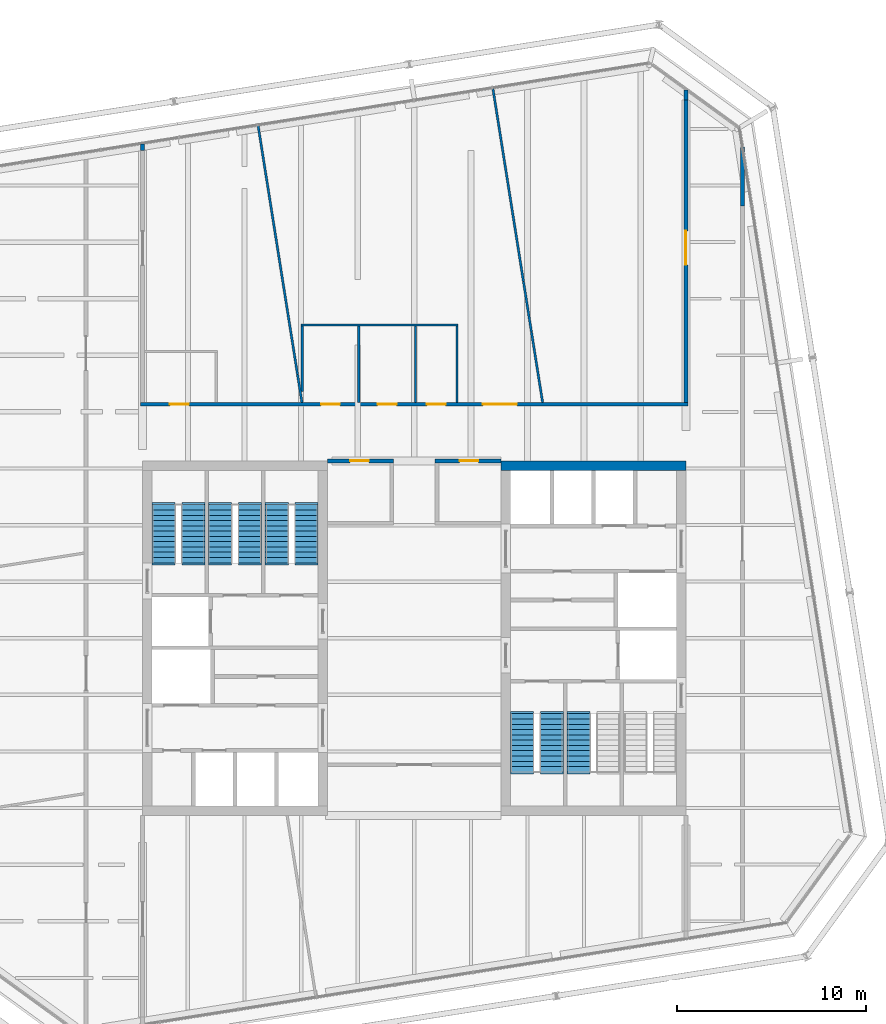
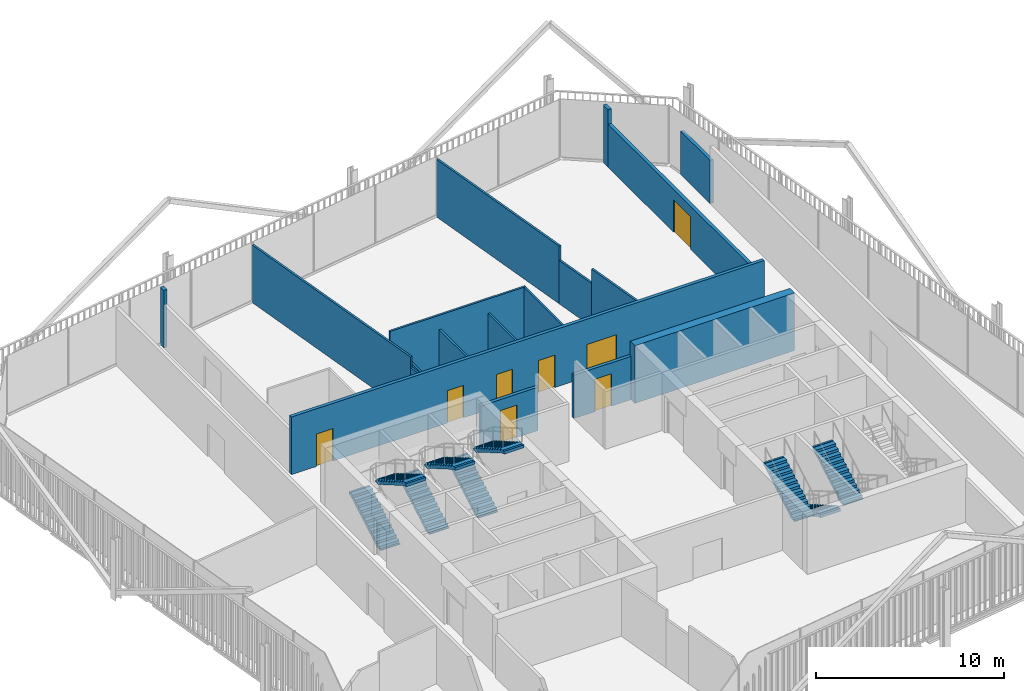
# One storey, part 18 of 20: 18 walls, 9 stair flights, 8 doors, 8 openings, 5 elements without a shape of their own.
"""IFC4 building model written with IfcOpenShell, lengths in metres."""

from ifc_helpers import new_model, si_unit, direction, frame, frame_2d, origin, place, context, subcontext, project, spatial, polyline, rectangle, outline, extrude, material, layer, layer_set, type_object, element, fill, aggregate, save


model = new_model("IFC4")

# Units and contexts
model_context = context("Model", 3, precision=1e-05, world=origin(), true_north=direction((0.0, 1.0)))
body_context = subcontext(model_context, "Body", "Model", "MODEL_VIEW")
ifc_project = project(units=[si_unit("LENGTHUNIT", "METRE"), si_unit("AREAUNIT", "SQUARE_METRE"), si_unit("VOLUMEUNIT", "CUBIC_METRE"), si_unit("PLANEANGLEUNIT", "RADIAN"), si_unit("MASSUNIT", "GRAM", prefix="KILO")], contexts=[model_context])

# Site, building, storey
site_placement = place(None, origin())
site = spatial("IfcSite", under=ifc_project, at=site_placement, CompositionType="ELEMENT")
building_placement = place(site_placement, origin())
building = spatial("IfcBuilding", under=site, at=building_placement, Name="Millrace Tower", CompositionType="ELEMENT")
storey_placement = place(building_placement, frame((0.0, 0.0, 204.699951171875)))
storey = spatial("IfcBuildingStorey", under=building, at=storey_placement, Name="L46", CompositionType="ELEMENT", Elevation=204.699951171875)

# Wall
ifc_material_1 = material(Name="Concrete C60", Category="concrete")
ifc_layer_1 = layer(ifc_material_1, 0.5)
ifc_layer_set_1 = layer_set([ifc_layer_1], Name="Concrete C60")
wall_type_1 = type_object("IfcWallType", Name="Core wall 500 Concrete C60", PredefinedType="SHEAR", material=ifc_layer_set_1)
wall_1_placement = place(storey_placement, frame((14.39990234375, 9.14990234375, 0.0), z_axis=(0.0, 0.0, 1.0), x_axis=(-1.0, 0.0, 0.0)))
element("IfcWall", 1, at=wall_1_placement, inside=storey, type_object=wall_type_1, Name="Core wall E L46", PredefinedType="SHEAR", context=body_context, shape_type="SweptSolid", body=[
    extrude(rectangle(XDim=9.7998046875, YDim=0.5, at=frame_2d((4.89990234375, 0.0))), origin(), (0.0, 0.0, 1.0), 3.739990234375),
])

# Wall, opening, door
ifc_material_2 = material(Name="Masonry partition, fire-rated", Category="masonry")
ifc_layer_2 = layer(ifc_material_2, 0.199951171875)
ifc_layer_set_2 = layer_set([ifc_layer_2], Name="Masonry partition, fire-rated")
wall_type_2 = type_object("IfcWallType", Name="Corridor wall 200", PredefinedType="PARTITIONING", material=ifc_layer_set_2)
wall_2_placement = place(storey_placement, frame((-4.60009765625, 9.39990234375, 0.0), z_axis=(0.0, 0.0, 1.0), x_axis=(1.0, 0.0, 0.0)))
wall_2 = element("IfcWall", 2, at=wall_2_placement, inside=storey, type_object=wall_type_2, Name="Corridor wall L46", PredefinedType="PARTITIONING", context=body_context, shape_type="SweptSolid", body=[
    extrude(rectangle(XDim=3.5, YDim=0.199951171875, at=frame_2d((1.75, 0.0))), origin(), (0.0, 0.0, 1.0), 2.81298828125),
])
opening_1_placement = place(wall_2_placement, frame((1.199951171875, 0.0, 0.0)))
opening_1 = element("IfcOpeningElement", 3, at=opening_1_placement, cuts=wall_2, Name="Opening 46-P001", PredefinedType="OPENING", context=body_context, shape_type="SweptSolid", body=[
    extrude(rectangle(XDim=1.0, YDim=2.10009765625, at=frame_2d((0.5, 1.050048828125))), frame((0.0, 0.10986328125, 0.0), z_axis=(0.0, -1.0, 0.0), x_axis=(1.0, 0.0, 0.0)), (0.0, 0.0, 1.0), 0.219970703125),
])
ifc_material_3 = material(Name="Steel door set, fire-rated", Category="steel")
door_type_1 = type_object("IfcDoorType", Name="Corridor door 1000 x 2100", OperationType="SINGLE_SWING_LEFT", PredefinedType="DOOR", material=ifc_material_3)
door_1_placement = place(opening_1_placement, frame((1.0, 0.0, 0.0), z_axis=(0.0, 0.0, 1.0), x_axis=(-1.0, 0.0, 0.0)))
door_1 = element("IfcDoor", 4, at=door_1_placement, inside=storey, type_object=door_type_1, Name="Door 46-P001", OperationType="SINGLE_SWING_LEFT", OverallHeight=2.10009765625, OverallWidth=1.0, PredefinedType="DOOR", context=body_context, shape_type="SweptSolid", body=[
    extrude(rectangle(XDim=1.0, YDim=2.10009765625, at=frame_2d((0.5, 1.050048828125))), frame((0.0, 0.02490234375, 0.0), z_axis=(0.0, -1.0, 0.0), x_axis=(1.0, 0.0, 0.0)), (0.0, 0.0, 1.0), 0.050048828125),
])
fill(opening_1, door_1)

wall_3_placement = place(storey_placement, frame((1.10009765625, 9.39990234375, 0.0), z_axis=(0.0, 0.0, 1.0), x_axis=(1.0, 0.0, 0.0)))
wall_3 = element("IfcWall", 5, at=wall_3_placement, inside=storey, type_object=wall_type_2, Name="Corridor wall L46", PredefinedType="PARTITIONING", context=body_context, shape_type="SweptSolid", body=[
    extrude(rectangle(XDim=3.5, YDim=0.199951171875, at=frame_2d((1.75, 0.0))), origin(), (0.0, 0.0, 1.0), 2.81298828125),
])
opening_2_placement = place(wall_3_placement, frame((1.300048828125, 0.0, 0.0)))
opening_2 = element("IfcOpeningElement", 6, at=opening_2_placement, cuts=wall_3, Name="Opening 46-P002", PredefinedType="OPENING", context=body_context, shape_type="SweptSolid", body=[
    extrude(rectangle(XDim=1.0, YDim=2.10009765625, at=frame_2d((0.5, 1.050048828125))), frame((0.0, 0.10986328125, 0.0), z_axis=(0.0, -1.0, 0.0), x_axis=(1.0, 0.0, 0.0)), (0.0, 0.0, 1.0), 0.219970703125),
])
door_2_placement = place(opening_2_placement, frame((1.0, 0.0, 0.0), z_axis=(0.0, 0.0, 1.0), x_axis=(-1.0, 0.0, 0.0)))
door_2 = element("IfcDoor", 7, at=door_2_placement, inside=storey, type_object=door_type_1, Name="Door 46-P002", OperationType="SINGLE_SWING_LEFT", OverallHeight=2.10009765625, OverallWidth=1.0, PredefinedType="DOOR", context=body_context, shape_type="SweptSolid", body=[
    extrude(rectangle(XDim=1.0, YDim=2.10009765625, at=frame_2d((0.5, 1.050048828125))), frame((0.0, 0.02490234375, 0.0), z_axis=(0.0, -1.0, 0.0), x_axis=(1.0, 0.0, 0.0)), (0.0, 0.0, 1.0), 0.050048828125),
])
fill(opening_2, door_2)

# Wall, openings, doors
wall_4_placement = place(storey_placement, frame((-14.5, 12.39990234375, 0.0), z_axis=(0.0, 0.0, 1.0), x_axis=(1.0, 0.0, 0.0)))
wall_4 = element("IfcWall", 8, at=wall_4_placement, inside=storey, type_object=wall_type_2, Name="Corridor wall L46", PredefinedType="PARTITIONING", context=body_context, shape_type="SweptSolid", body=[
    extrude(rectangle(XDim=29.0, YDim=0.199951171875, at=frame_2d((14.5, 0.0))), origin(), (0.0, 0.0, 1.0), 3.739990234375),
])
opening_3_placement = place(wall_4_placement, frame((1.550048828125, 0.0, 0.0)))
opening_3 = element("IfcOpeningElement", 9, at=opening_3_placement, cuts=wall_4, Name="Opening 46-P007", PredefinedType="OPENING", context=body_context, shape_type="SweptSolid", body=[
    extrude(rectangle(XDim=1.0, YDim=2.10009765625, at=frame_2d((0.5, 1.050048828125))), frame((0.0, 0.10986328125, 0.0), z_axis=(0.0, -1.0, 0.0), x_axis=(1.0, 0.0, 0.0)), (0.0, 0.0, 1.0), 0.219970703125),
])
opening_4_placement = place(wall_4_placement, frame((18.140380859375, 0.0, 0.0)))
opening_4 = element("IfcOpeningElement", 10, at=opening_4_placement, cuts=wall_4, Name="Opening 46-P008", PredefinedType="OPENING", context=body_context, shape_type="SweptSolid", body=[
    extrude(rectangle(XDim=1.800048828125, YDim=2.10009765625, at=frame_2d((0.89990234375, 1.050048828125))), frame((0.0, 0.10986328125, 0.0), z_axis=(0.0, -1.0, 0.0), x_axis=(1.0, 0.0, 0.0)), (0.0, 0.0, 1.0), 0.219970703125),
])
opening_5_placement = place(wall_4_placement, frame((9.56201171875, 0.0, 0.0)))
opening_5 = element("IfcOpeningElement", 11, at=opening_5_placement, cuts=wall_4, Name="Opening 46-P009", PredefinedType="OPENING", context=body_context, shape_type="SweptSolid", body=[
    extrude(rectangle(XDim=1.0, YDim=2.10009765625, at=frame_2d((0.5, 1.050048828125))), frame((0.0, 0.10986328125, 0.0), z_axis=(0.0, -1.0, 0.0), x_axis=(1.0, 0.0, 0.0)), (0.0, 0.0, 1.0), 0.219970703125),
])
opening_6_placement = place(wall_4_placement, frame((12.56201171875, 0.0, 0.0)))
opening_6 = element("IfcOpeningElement", 12, at=opening_6_placement, cuts=wall_4, Name="Opening 46-P010", PredefinedType="OPENING", context=body_context, shape_type="SweptSolid", body=[
    extrude(rectangle(XDim=1.0, YDim=2.10009765625, at=frame_2d((0.5, 1.050048828125))), frame((0.0, 0.10986328125, 0.0), z_axis=(0.0, -1.0, 0.0), x_axis=(1.0, 0.0, 0.0)), (0.0, 0.0, 1.0), 0.219970703125),
])
opening_7_placement = place(wall_4_placement, frame((15.162109375, 0.0, 0.0)))
opening_7 = element("IfcOpeningElement", 13, at=opening_7_placement, cuts=wall_4, Name="Opening 46-P011", PredefinedType="OPENING", context=body_context, shape_type="SweptSolid", body=[
    extrude(rectangle(XDim=1.0, YDim=2.10009765625, at=frame_2d((0.5, 1.050048828125))), frame((0.0, 0.10986328125, 0.0), z_axis=(0.0, -1.0, 0.0), x_axis=(1.0, 0.0, 0.0)), (0.0, 0.0, 1.0), 0.219970703125),
])
door_3_placement = place(opening_3_placement, origin())
door_3 = element("IfcDoor", 14, at=door_3_placement, inside=storey, type_object=door_type_1, Name="Door 46-P007", OperationType="SINGLE_SWING_LEFT", OverallHeight=2.10009765625, OverallWidth=1.0, PredefinedType="DOOR", context=body_context, shape_type="SweptSolid", body=[
    extrude(rectangle(XDim=1.0, YDim=2.10009765625, at=frame_2d((0.5, 1.050048828125))), frame((0.0, 0.02490234375, 0.0), z_axis=(0.0, -1.0, 0.0), x_axis=(1.0, 0.0, 0.0)), (0.0, 0.0, 1.0), 0.050048828125),
])
fill(opening_3, door_3)
door_4_placement = place(opening_5_placement, origin())
door_4 = element("IfcDoor", 15, at=door_4_placement, inside=storey, type_object=door_type_1, Name="Door 46-P009", OperationType="SINGLE_SWING_LEFT", OverallHeight=2.10009765625, OverallWidth=1.0, PredefinedType="DOOR", context=body_context, shape_type="SweptSolid", body=[
    extrude(rectangle(XDim=1.0, YDim=2.10009765625, at=frame_2d((0.5, 1.050048828125))), frame((0.0, 0.02490234375, 0.0), z_axis=(0.0, -1.0, 0.0), x_axis=(1.0, 0.0, 0.0)), (0.0, 0.0, 1.0), 0.050048828125),
])
fill(opening_5, door_4)
door_5_placement = place(opening_6_placement, origin())
door_5 = element("IfcDoor", 16, at=door_5_placement, inside=storey, type_object=door_type_1, Name="Door 46-P010", OperationType="SINGLE_SWING_LEFT", OverallHeight=2.10009765625, OverallWidth=1.0, PredefinedType="DOOR", context=body_context, shape_type="SweptSolid", body=[
    extrude(rectangle(XDim=1.0, YDim=2.10009765625, at=frame_2d((0.5, 1.050048828125))), frame((0.0, 0.02490234375, 0.0), z_axis=(0.0, -1.0, 0.0), x_axis=(1.0, 0.0, 0.0)), (0.0, 0.0, 1.0), 0.050048828125),
])
fill(opening_6, door_5)
door_6_placement = place(opening_7_placement, origin())
door_6 = element("IfcDoor", 17, at=door_6_placement, inside=storey, type_object=door_type_1, Name="Door 46-P011", OperationType="SINGLE_SWING_RIGHT", OverallHeight=2.10009765625, OverallWidth=1.0, PredefinedType="DOOR", context=body_context, shape_type="SweptSolid", body=[
    extrude(rectangle(XDim=1.0, YDim=2.10009765625, at=frame_2d((0.5, 1.050048828125))), frame((0.0, 0.02490234375, 0.0), z_axis=(0.0, -1.0, 0.0), x_axis=(1.0, 0.0, 0.0)), (0.0, 0.0, 1.0), 0.050048828125),
])
fill(opening_7, door_6)
ifc_material_4 = material(Name="Steel door set, fire-rated", Category="steel")
door_type_2 = type_object("IfcDoorType", Name="Corridor door 1800 x 2100", OperationType="DOUBLE_DOOR_SINGLE_SWING", PredefinedType="DOOR", material=ifc_material_4)
door_7_placement = place(opening_4_placement, frame((1.800048828125, 0.0, 0.0), z_axis=(0.0, 0.0, 1.0), x_axis=(-1.0, 0.0, 0.0)))
door_7 = element("IfcDoor", 18, at=door_7_placement, inside=storey, type_object=door_type_2, Name="Door 46-P008", OperationType="DOUBLE_DOOR_SINGLE_SWING", OverallHeight=2.10009765625, OverallWidth=1.800048828125, PredefinedType="DOOR", context=body_context, shape_type="SweptSolid", body=[
    extrude(rectangle(XDim=1.800048828125, YDim=2.10009765625, at=frame_2d((0.89990234375, 1.050048828125))), frame((0.0, 0.02490234375, 0.0), z_axis=(0.0, -1.0, 0.0), x_axis=(1.0, 0.0, 0.0)), (0.0, 0.0, 1.0), 0.050048828125),
])
fill(opening_4, door_7)

# Wall
wall_5_placement = place(storey_placement, frame((17.39990234375, 22.9052734375, 0.0), z_axis=(0.0, 0.0, 1.0), x_axis=(0.0, 1.0, 0.0)))
element("IfcWall", 19, at=wall_5_placement, inside=storey, type_object=wall_type_2, Name="Corridor wall L46", PredefinedType="PARTITIONING", context=body_context, shape_type="SweptSolid", body=[
    extrude(rectangle(XDim=3.137451171875, YDim=0.199951171875, at=frame_2d((1.56884765625, 0.0))), origin(), (0.0, 0.0, 1.0), 2.81298828125),
])

# Wall, opening, door
wall_6_placement = place(storey_placement, frame((14.39990234375, 12.5, 0.0), z_axis=(0.0, 0.0, 1.0), x_axis=(0.0, 1.0, 0.0)))
wall_6 = element("IfcWall", 20, at=wall_6_placement, inside=storey, type_object=wall_type_2, Name="Corridor wall L46", PredefinedType="PARTITIONING", context=body_context, shape_type="SweptSolid", body=[
    extrude(rectangle(XDim=16.040771484375, YDim=0.199951171875, at=frame_2d((8.0205078125, 0.0))), origin(), (0.0, 0.0, 1.0), 2.792724609375),
])
opening_8_placement = place(wall_6_placement, frame((7.298095703125, 0.0, 0.0)))
opening_8 = element("IfcOpeningElement", 21, at=opening_8_placement, cuts=wall_6, Name="Opening 46-P012", PredefinedType="OPENING", context=body_context, shape_type="SweptSolid", body=[
    extrude(rectangle(XDim=1.800048828125, YDim=2.10009765625, at=frame_2d((0.89990234375, 1.050048828125))), frame((0.0, 0.10986328125, 0.0), z_axis=(0.0, -1.0, 0.0), x_axis=(1.0, 0.0, 0.0)), (0.0, 0.0, 1.0), 0.219970703125),
])
door_8_placement = place(opening_8_placement, frame((1.800048828125, 0.0, 0.0), z_axis=(0.0, 0.0, 1.0), x_axis=(-1.0, 0.0, 0.0)))
door_8 = element("IfcDoor", 22, at=door_8_placement, inside=storey, type_object=door_type_2, Name="Door 46-P012", OperationType="DOUBLE_DOOR_SINGLE_SWING", OverallHeight=2.10009765625, OverallWidth=1.800048828125, PredefinedType="DOOR", context=body_context, shape_type="SweptSolid", body=[
    extrude(rectangle(XDim=1.800048828125, YDim=2.10009765625, at=frame_2d((0.89990234375, 1.050048828125))), frame((0.0, 0.02490234375, 0.0), z_axis=(0.0, -1.0, 0.0), x_axis=(1.0, 0.0, 0.0)), (0.0, 0.0, 1.0), 0.050048828125),
])
fill(opening_8, door_8)

# Walls
wall_7_placement = place(storey_placement, frame((14.39990234375, 28.540771484375, 0.0), z_axis=(0.0, 0.0, 1.0), x_axis=(0.0, 1.0, 0.0)))
element("IfcWall", 23, at=wall_7_placement, inside=storey, type_object=wall_type_2, Name="Corridor wall L46", PredefinedType="PARTITIONING", context=body_context, shape_type="SweptSolid", body=[
    extrude(rectangle(XDim=0.51708984375, YDim=0.199951171875, at=frame_2d((0.258544921875, 0.0))), origin(), (0.0, 0.0, 1.0), 3.739990234375),
])
wall_8_placement = place(storey_placement, frame((-14.39990234375, 25.8486328125, 0.0), z_axis=(0.0, 0.0, 1.0), x_axis=(0.0, 1.0, 0.0)))
element("IfcWall", 24, at=wall_8_placement, inside=storey, type_object=wall_type_2, Name="Corridor wall L46", PredefinedType="PARTITIONING", context=body_context, shape_type="SweptSolid", body=[
    extrude(rectangle(XDim=0.349609375, YDim=0.199951171875, at=frame_2d((0.1748046875, 0.0))), origin(), (0.0, 0.0, 1.0), 3.739990234375),
])
ifc_material_5 = material(Name="Gypsum board partition")
ifc_layer_3 = layer(ifc_material_5, 0.1201171875)
ifc_layer_set_3 = layer_set([ifc_layer_3], Name="Gypsum board partition")
wall_type_3 = type_object("IfcWallType", Name="Partition wall 120", PredefinedType="PARTITIONING", material=ifc_layer_set_3)
wall_9_placement = place(storey_placement, frame((-8.27685546875, 27.16796875, 0.0), z_axis=(0.0, 0.0, 1.0), x_axis=(0.156426233908, -0.987689644243, 0.0)))
element("IfcWall", 25, at=wall_9_placement, inside=storey, type_object=wall_type_3, Name="Partition wall L46", PredefinedType="PARTITIONING", context=body_context, shape_type="SweptSolid", body=[
    extrude(rectangle(XDim=13.356689453125, YDim=0.1201171875, at=frame_2d((6.67822265625, 0.0))), origin(), (0.0, 0.0, 1.0), 3.739990234375),
])
wall_10_placement = place(storey_placement, frame((-6.1875, 13.9755859375, 0.0), z_axis=(0.0, 0.0, 1.0), x_axis=(0.156423716504, -0.987690042936, 0.0)))
element("IfcWall", 26, at=wall_10_placement, inside=storey, type_object=wall_type_3, Name="Partition wall L46", PredefinedType="PARTITIONING", context=body_context, shape_type="SweptSolid", body=[
    extrude(rectangle(XDim=1.4951171875, YDim=0.1201171875, at=frame_2d((0.74755859375, 0.0))), origin(), (0.0, 0.0, 1.0), 3.046630859375),
])
wall_11_placement = place(storey_placement, frame((4.168212890625, 29.13916015625, 0.0), z_axis=(0.0, 0.0, 1.0), x_axis=(0.156414369749, -0.987691523167, 0.0)))
element("IfcWall", 27, at=wall_11_placement, inside=storey, type_object=wall_type_3, Name="Partition wall L46", PredefinedType="PARTITIONING", context=body_context, shape_type="SweptSolid", body=[
    extrude(rectangle(XDim=10.35009765625, YDim=0.1201171875, at=frame_2d((5.175048828125, 0.0))), origin(), (0.0, 0.0, 1.0), 3.739990234375),
])
wall_12_placement = place(storey_placement, frame((5.787109375, 18.91650390625, 0.0), z_axis=(0.0, 0.0, 1.0), x_axis=(0.156381577148, -0.987696715763, 0.0)))
element("IfcWall", 28, at=wall_12_placement, inside=storey, type_object=wall_type_3, Name="Partition wall L46", PredefinedType="PARTITIONING", context=body_context, shape_type="SweptSolid", body=[
    extrude(rectangle(XDim=2.72265625, YDim=0.1201171875, at=frame_2d((1.361328125, 0.0))), origin(), (0.0, 0.0, 1.0), 2.81298828125),
])
wall_13_placement = place(storey_placement, frame((6.212890625, 16.227294921875, 0.0), z_axis=(0.0, 0.0, 1.0), x_axis=(0.15644410697, -0.987686813415, 0.0)))
element("IfcWall", 29, at=wall_13_placement, inside=storey, type_object=wall_type_3, Name="Partition wall L46", PredefinedType="PARTITIONING", context=body_context, shape_type="SweptSolid", body=[
    extrude(rectangle(XDim=3.77490234375, YDim=0.1201171875, at=frame_2d((1.887451171875, 0.0))), origin(), (0.0, 0.0, 1.0), 3.739990234375),
])
wall_14_placement = place(storey_placement, frame((-5.998046875, 16.60009765625, 0.0), z_axis=(0.0, 0.0, 1.0), x_axis=(1.0, 0.0, 0.0)))
element("IfcWall", 30, at=wall_14_placement, inside=storey, type_object=wall_type_3, Name="Partition wall L46", PredefinedType="PARTITIONING", context=body_context, shape_type="SweptSolid", body=[
    extrude(rectangle(XDim=8.320068359375, YDim=0.1201171875, at=frame_2d((4.16015625, 0.0))), origin(), (0.0, 0.0, 1.0), 3.739990234375),
])
wall_15_placement = place(storey_placement, frame((2.261962890625, 12.5, 0.0), z_axis=(0.0, 0.0, 1.0), x_axis=(0.0, 1.0, 0.0)))
element("IfcWall", 31, at=wall_15_placement, inside=storey, type_object=wall_type_3, Name="Partition wall L46", PredefinedType="PARTITIONING", context=body_context, shape_type="SweptSolid", body=[
    extrude(rectangle(XDim=4.0400390625, YDim=0.1201171875, at=frame_2d((2.02001953125, 0.0))), origin(), (0.0, 0.0, 1.0), 3.739990234375),
])
for number, where, z_axis, x_axis, name in (
    (32, (0.06201171875, 12.5, 0.0), (0.0, 0.0, 1.0), (0.0, 1.0, 0.0), "Partition wall L46"),
    (33, (-2.93798828125, 12.5, 0.0), (0.0, 0.0, 1.0), (0.0, 1.0, 0.0), "Partition wall L46"),
):
    element("IfcWall", number, at=place(storey_placement, frame(where, z_axis=z_axis, x_axis=x_axis)), inside=storey, type_object=wall_type_3, Name=name, PredefinedType="PARTITIONING", context=body_context, shape_type="SweptSolid", body=[
        extrude(rectangle(XDim=4.0400390625, YDim=0.1201171875, at=frame_2d((2.02001953125, 0.0))), origin(), (0.0, 0.0, 1.0), 2.81298828125),
    ])
wall_16_placement = place(storey_placement, frame((-5.93798828125, 13.067626953125, 0.0), z_axis=(0.0, 0.0, 1.0), x_axis=(0.0, 1.0, 0.0)))
element("IfcWall", 34, at=wall_16_placement, inside=storey, type_object=wall_type_3, Name="Partition wall L46", PredefinedType="PARTITIONING", context=body_context, shape_type="SweptSolid", body=[
    extrude(rectangle(XDim=3.472412109375, YDim=0.1201171875, at=frame_2d((1.736328125, 0.0))), origin(), (0.0, 0.0, 1.0), 3.046630859375),
])

# Stair, stair flights
ifc_material_6 = material(Name="Concrete C35", Category="concrete")
stair_type = type_object("IfcStairType", Name="Exit stair", PredefinedType="HALF_TURN_STAIR", material=ifc_material_6)
placement = place(storey_placement, origin())
stair_1 = element("IfcStair", 35, at=placement, inside=storey, type_object=stair_type, Name="Stair 1 W L46", PredefinedType="HALF_TURN_STAIR")
ifc_material_7 = material(Name="Concrete C35", Category="concrete")
stair_flight_type = type_object("IfcStairFlightType", Name="Exit stair flight", PredefinedType="STRAIGHT", material=ifc_material_7)
stair_flight_1_placement = place(storey_placement, frame((-13.2900390625, 4.0, 0.0), z_axis=(0.0, 0.0, 1.0), x_axis=(0.0, 1.0, 0.0)))
stair_flight_1 = element("IfcStairFlight", 36, at=stair_flight_1_placement, type_object=stair_flight_type, Name="ST12 flight 1", NumberOfRisers=12, NumberOfTreads=11, PredefinedType="STRAIGHT", RiserHeight=0.1625, TreadLength=0.28, context=body_context, shape_type="SweptSolid", body=[
    extrude(outline(polyline([(-0.1201171875, -0.0400390625), (-0.1201171875, 0.0), (0.0, 0.0), (0.0, 0.16259765625), (0.280029296875, 0.16259765625), (0.280029296875, 0.324951171875), (0.56005859375, 0.324951171875), (0.56005859375, 0.487548828125), (0.840087890625, 0.487548828125), (0.840087890625, 0.64990234375), (1.1201171875, 0.64990234375), (1.1201171875, 0.8125), (1.39990234375, 0.8125), (1.39990234375, 0.97509765625), (1.679931640625, 0.97509765625), (1.679931640625, 1.137451171875), (1.9599609375, 1.137451171875), (1.9599609375, 1.300048828125), (2.239990234375, 1.300048828125), (2.239990234375, 1.46240234375), (2.52001953125, 1.46240234375), (2.52001953125, 1.625), (2.800048828125, 1.625), (2.800048828125, 1.78759765625), (3.080078125, 1.78759765625), (3.080078125, 1.8076171875), (3.199951171875, 1.8076171875), (3.199951171875, 1.6142578125), (3.080078125, 1.6142578125), (0.298583984375, 0.0), (0.298583984375, -0.0400390625), (-0.1201171875, -0.0400390625)])), frame((0.0, 0.60986328125, 0.0), z_axis=(0.0, -1.0, 0.0), x_axis=(1.0, 0.0, 0.0)), (0.0, 0.0, 1.0), 1.219970703125),
])
stair_flight_2_placement = place(storey_placement, frame((-11.7099609375, 7.080078125, 1.949951171875), z_axis=(0.0, 0.0, 1.0), x_axis=(0.0, -1.0, 0.0)))
stair_flight_2 = element("IfcStairFlight", 37, at=stair_flight_2_placement, type_object=stair_flight_type, Name="ST12 flight 2", NumberOfRisers=12, NumberOfTreads=11, PredefinedType="STRAIGHT", RiserHeight=0.1625, TreadLength=0.28, context=body_context, shape_type="SweptSolid", body=[
    extrude(outline(polyline([(-0.1201171875, -0.0400390625), (-0.1201171875, 0.0), (0.0, 0.0), (0.0, 0.16259765625), (0.280029296875, 0.16259765625), (0.280029296875, 0.324951171875), (0.56005859375, 0.324951171875), (0.56005859375, 0.487548828125), (0.840087890625, 0.487548828125), (0.840087890625, 0.64990234375), (1.1201171875, 0.64990234375), (1.1201171875, 0.8125), (1.39990234375, 0.8125), (1.39990234375, 0.97509765625), (1.679931640625, 0.97509765625), (1.679931640625, 1.137451171875), (1.9599609375, 1.137451171875), (1.9599609375, 1.300048828125), (2.239990234375, 1.300048828125), (2.239990234375, 1.46240234375), (2.52001953125, 1.46240234375), (2.52001953125, 1.625), (2.800048828125, 1.625), (2.800048828125, 1.78759765625), (3.080078125, 1.78759765625), (3.080078125, 1.8076171875), (3.199951171875, 1.8076171875), (3.199951171875, 1.6142578125), (3.080078125, 1.6142578125), (0.298583984375, 0.0), (0.298583984375, -0.0400390625), (-0.1201171875, -0.0400390625)])), frame((0.0, 0.60986328125, 0.0), z_axis=(0.0, -1.0, 0.0), x_axis=(1.0, 0.0, 0.0)), (0.0, 0.0, 1.0), 1.219970703125),
])
aggregate(stair_1, [stair_flight_1, stair_flight_2])

stair_2 = element("IfcStair", 38, at=placement, inside=storey, type_object=stair_type, Name="Stair 2 W L46", PredefinedType="HALF_TURN_STAIR")
stair_flight_3_placement = place(storey_placement, frame((-10.2900390625, 4.0, 0.0), z_axis=(0.0, 0.0, 1.0), x_axis=(0.0, 1.0, 0.0)))
stair_flight_3 = element("IfcStairFlight", 39, at=stair_flight_3_placement, type_object=stair_flight_type, Name="ST12 flight 1", NumberOfRisers=12, NumberOfTreads=11, PredefinedType="STRAIGHT", RiserHeight=0.1625, TreadLength=0.28, context=body_context, shape_type="SweptSolid", body=[
    extrude(outline(polyline([(-0.1201171875, -0.0400390625), (-0.1201171875, 0.0), (0.0, 0.0), (0.0, 0.16259765625), (0.280029296875, 0.16259765625), (0.280029296875, 0.324951171875), (0.56005859375, 0.324951171875), (0.56005859375, 0.487548828125), (0.840087890625, 0.487548828125), (0.840087890625, 0.64990234375), (1.1201171875, 0.64990234375), (1.1201171875, 0.8125), (1.39990234375, 0.8125), (1.39990234375, 0.97509765625), (1.679931640625, 0.97509765625), (1.679931640625, 1.137451171875), (1.9599609375, 1.137451171875), (1.9599609375, 1.300048828125), (2.239990234375, 1.300048828125), (2.239990234375, 1.46240234375), (2.52001953125, 1.46240234375), (2.52001953125, 1.625), (2.800048828125, 1.625), (2.800048828125, 1.78759765625), (3.080078125, 1.78759765625), (3.080078125, 1.8076171875), (3.199951171875, 1.8076171875), (3.199951171875, 1.6142578125), (3.080078125, 1.6142578125), (0.298583984375, 0.0), (0.298583984375, -0.0400390625), (-0.1201171875, -0.0400390625)])), frame((0.0, 0.60986328125, 0.0), z_axis=(0.0, -1.0, 0.0), x_axis=(1.0, 0.0, 0.0)), (0.0, 0.0, 1.0), 1.219970703125),
])
stair_flight_4_placement = place(storey_placement, frame((-8.7099609375, 7.080078125, 1.949951171875), z_axis=(0.0, 0.0, 1.0), x_axis=(0.0, -1.0, 0.0)))
stair_flight_4 = element("IfcStairFlight", 40, at=stair_flight_4_placement, type_object=stair_flight_type, Name="ST12 flight 2", NumberOfRisers=12, NumberOfTreads=11, PredefinedType="STRAIGHT", RiserHeight=0.1625, TreadLength=0.28, context=body_context, shape_type="SweptSolid", body=[
    extrude(outline(polyline([(-0.1201171875, -0.0400390625), (-0.1201171875, 0.0), (0.0, 0.0), (0.0, 0.16259765625), (0.280029296875, 0.16259765625), (0.280029296875, 0.324951171875), (0.56005859375, 0.324951171875), (0.56005859375, 0.487548828125), (0.840087890625, 0.487548828125), (0.840087890625, 0.64990234375), (1.1201171875, 0.64990234375), (1.1201171875, 0.8125), (1.39990234375, 0.8125), (1.39990234375, 0.97509765625), (1.679931640625, 0.97509765625), (1.679931640625, 1.137451171875), (1.9599609375, 1.137451171875), (1.9599609375, 1.300048828125), (2.239990234375, 1.300048828125), (2.239990234375, 1.46240234375), (2.52001953125, 1.46240234375), (2.52001953125, 1.625), (2.800048828125, 1.625), (2.800048828125, 1.78759765625), (3.080078125, 1.78759765625), (3.080078125, 1.8076171875), (3.199951171875, 1.8076171875), (3.199951171875, 1.6142578125), (3.080078125, 1.6142578125), (0.298583984375, 0.0), (0.298583984375, -0.0400390625), (-0.1201171875, -0.0400390625)])), frame((0.0, 0.60986328125, 0.0), z_axis=(0.0, -1.0, 0.0), x_axis=(1.0, 0.0, 0.0)), (0.0, 0.0, 1.0), 1.219970703125),
])
aggregate(stair_2, [stair_flight_3, stair_flight_4])

stair_3 = element("IfcStair", 41, at=placement, inside=storey, type_object=stair_type, Name="Stair 3 W L46", PredefinedType="HALF_TURN_STAIR")
stair_flight_5_placement = place(storey_placement, frame((-7.2900390625, 4.0, 0.0), z_axis=(0.0, 0.0, 1.0), x_axis=(0.0, 1.0, 0.0)))
stair_flight_5 = element("IfcStairFlight", 42, at=stair_flight_5_placement, type_object=stair_flight_type, Name="ST12 flight 1", NumberOfRisers=12, NumberOfTreads=11, PredefinedType="STRAIGHT", RiserHeight=0.1625, TreadLength=0.28, context=body_context, shape_type="SweptSolid", body=[
    extrude(outline(polyline([(-0.1201171875, -0.0400390625), (-0.1201171875, 0.0), (0.0, 0.0), (0.0, 0.16259765625), (0.280029296875, 0.16259765625), (0.280029296875, 0.324951171875), (0.56005859375, 0.324951171875), (0.56005859375, 0.487548828125), (0.840087890625, 0.487548828125), (0.840087890625, 0.64990234375), (1.1201171875, 0.64990234375), (1.1201171875, 0.8125), (1.39990234375, 0.8125), (1.39990234375, 0.97509765625), (1.679931640625, 0.97509765625), (1.679931640625, 1.137451171875), (1.9599609375, 1.137451171875), (1.9599609375, 1.300048828125), (2.239990234375, 1.300048828125), (2.239990234375, 1.46240234375), (2.52001953125, 1.46240234375), (2.52001953125, 1.625), (2.800048828125, 1.625), (2.800048828125, 1.78759765625), (3.080078125, 1.78759765625), (3.080078125, 1.8076171875), (3.199951171875, 1.8076171875), (3.199951171875, 1.6142578125), (3.080078125, 1.6142578125), (0.298583984375, 0.0), (0.298583984375, -0.0400390625), (-0.1201171875, -0.0400390625)])), frame((0.0, 0.60986328125, 0.0), z_axis=(0.0, -1.0, 0.0), x_axis=(1.0, 0.0, 0.0)), (0.0, 0.0, 1.0), 1.219970703125),
])
stair_flight_6_placement = place(storey_placement, frame((-5.7099609375, 7.080078125, 1.949951171875), z_axis=(0.0, 0.0, 1.0), x_axis=(0.0, -1.0, 0.0)))
stair_flight_6 = element("IfcStairFlight", 43, at=stair_flight_6_placement, type_object=stair_flight_type, Name="ST12 flight 2", NumberOfRisers=12, NumberOfTreads=11, PredefinedType="STRAIGHT", RiserHeight=0.1625, TreadLength=0.28, context=body_context, shape_type="SweptSolid", body=[
    extrude(outline(polyline([(-0.1201171875, -0.0400390625), (-0.1201171875, 0.0), (0.0, 0.0), (0.0, 0.16259765625), (0.280029296875, 0.16259765625), (0.280029296875, 0.324951171875), (0.56005859375, 0.324951171875), (0.56005859375, 0.487548828125), (0.840087890625, 0.487548828125), (0.840087890625, 0.64990234375), (1.1201171875, 0.64990234375), (1.1201171875, 0.8125), (1.39990234375, 0.8125), (1.39990234375, 0.97509765625), (1.679931640625, 0.97509765625), (1.679931640625, 1.137451171875), (1.9599609375, 1.137451171875), (1.9599609375, 1.300048828125), (2.239990234375, 1.300048828125), (2.239990234375, 1.46240234375), (2.52001953125, 1.46240234375), (2.52001953125, 1.625), (2.800048828125, 1.625), (2.800048828125, 1.78759765625), (3.080078125, 1.78759765625), (3.080078125, 1.8076171875), (3.199951171875, 1.8076171875), (3.199951171875, 1.6142578125), (3.080078125, 1.6142578125), (0.298583984375, 0.0), (0.298583984375, -0.0400390625), (-0.1201171875, -0.0400390625)])), frame((0.0, 0.60986328125, 0.0), z_axis=(0.0, -1.0, 0.0), x_axis=(1.0, 0.0, 0.0)), (0.0, 0.0, 1.0), 1.219970703125),
])
aggregate(stair_3, [stair_flight_5, stair_flight_6])

# Stair, stair flight
stair_4 = element("IfcStair", 44, at=placement, inside=storey, type_object=stair_type, Name="Stair 2 E L46", PredefinedType="HALF_TURN_STAIR")
stair_flight_7_placement = place(storey_placement, frame((8.7099609375, -7.080078125, 1.949951171875), z_axis=(0.0, 0.0, 1.0), x_axis=(0.0, 1.0, 0.0)))
stair_flight_7 = element("IfcStairFlight", 45, at=stair_flight_7_placement, type_object=stair_flight_type, Name="ST12 flight 2", NumberOfRisers=12, NumberOfTreads=11, PredefinedType="STRAIGHT", RiserHeight=0.1625, TreadLength=0.28, context=body_context, shape_type="SweptSolid", body=[
    extrude(outline(polyline([(-0.1201171875, -0.0400390625), (-0.1201171875, 0.0), (0.0, 0.0), (0.0, 0.16259765625), (0.280029296875, 0.16259765625), (0.280029296875, 0.324951171875), (0.56005859375, 0.324951171875), (0.56005859375, 0.487548828125), (0.840087890625, 0.487548828125), (0.840087890625, 0.64990234375), (1.1201171875, 0.64990234375), (1.1201171875, 0.8125), (1.39990234375, 0.8125), (1.39990234375, 0.97509765625), (1.679931640625, 0.97509765625), (1.679931640625, 1.137451171875), (1.9599609375, 1.137451171875), (1.9599609375, 1.300048828125), (2.239990234375, 1.300048828125), (2.239990234375, 1.46240234375), (2.52001953125, 1.46240234375), (2.52001953125, 1.625), (2.800048828125, 1.625), (2.800048828125, 1.78759765625), (3.080078125, 1.78759765625), (3.080078125, 1.8076171875), (3.199951171875, 1.8076171875), (3.199951171875, 1.6142578125), (3.080078125, 1.6142578125), (0.298583984375, 0.0), (0.298583984375, -0.0400390625), (-0.1201171875, -0.0400390625)])), frame((0.0, 0.60986328125, 0.0), z_axis=(0.0, -1.0, 0.0), x_axis=(1.0, 0.0, 0.0)), (0.0, 0.0, 1.0), 1.219970703125),
])
aggregate(stair_4, [stair_flight_7])

# Stair, stair flights
stair_5 = element("IfcStair", 46, at=placement, inside=storey, type_object=stair_type, Name="Stair 3 E L46", PredefinedType="HALF_TURN_STAIR")
stair_flight_8_placement = place(storey_placement, frame((7.2900390625, -4.0, 0.0), z_axis=(0.0, 0.0, 1.0), x_axis=(0.0, -1.0, 0.0)))
stair_flight_8 = element("IfcStairFlight", 47, at=stair_flight_8_placement, type_object=stair_flight_type, Name="ST12 flight 1", NumberOfRisers=12, NumberOfTreads=11, PredefinedType="STRAIGHT", RiserHeight=0.1625, TreadLength=0.28, context=body_context, shape_type="SweptSolid", body=[
    extrude(outline(polyline([(-0.1201171875, -0.0400390625), (-0.1201171875, 0.0), (0.0, 0.0), (0.0, 0.16259765625), (0.280029296875, 0.16259765625), (0.280029296875, 0.324951171875), (0.56005859375, 0.324951171875), (0.56005859375, 0.487548828125), (0.840087890625, 0.487548828125), (0.840087890625, 0.64990234375), (1.1201171875, 0.64990234375), (1.1201171875, 0.8125), (1.39990234375, 0.8125), (1.39990234375, 0.97509765625), (1.679931640625, 0.97509765625), (1.679931640625, 1.137451171875), (1.9599609375, 1.137451171875), (1.9599609375, 1.300048828125), (2.239990234375, 1.300048828125), (2.239990234375, 1.46240234375), (2.52001953125, 1.46240234375), (2.52001953125, 1.625), (2.800048828125, 1.625), (2.800048828125, 1.78759765625), (3.080078125, 1.78759765625), (3.080078125, 1.8076171875), (3.199951171875, 1.8076171875), (3.199951171875, 1.6142578125), (3.080078125, 1.6142578125), (0.298583984375, 0.0), (0.298583984375, -0.0400390625), (-0.1201171875, -0.0400390625)])), frame((0.0, 0.60986328125, 0.0), z_axis=(0.0, -1.0, 0.0), x_axis=(1.0, 0.0, 0.0)), (0.0, 0.0, 1.0), 1.219970703125),
])
stair_flight_9_placement = place(storey_placement, frame((5.7099609375, -7.080078125, 1.949951171875), z_axis=(0.0, 0.0, 1.0), x_axis=(0.0, 1.0, 0.0)))
stair_flight_9 = element("IfcStairFlight", 48, at=stair_flight_9_placement, type_object=stair_flight_type, Name="ST12 flight 2", NumberOfRisers=12, NumberOfTreads=11, PredefinedType="STRAIGHT", RiserHeight=0.1625, TreadLength=0.28, context=body_context, shape_type="SweptSolid", body=[
    extrude(outline(polyline([(-0.1201171875, -0.0400390625), (-0.1201171875, 0.0), (0.0, 0.0), (0.0, 0.16259765625), (0.280029296875, 0.16259765625), (0.280029296875, 0.324951171875), (0.56005859375, 0.324951171875), (0.56005859375, 0.487548828125), (0.840087890625, 0.487548828125), (0.840087890625, 0.64990234375), (1.1201171875, 0.64990234375), (1.1201171875, 0.8125), (1.39990234375, 0.8125), (1.39990234375, 0.97509765625), (1.679931640625, 0.97509765625), (1.679931640625, 1.137451171875), (1.9599609375, 1.137451171875), (1.9599609375, 1.300048828125), (2.239990234375, 1.300048828125), (2.239990234375, 1.46240234375), (2.52001953125, 1.46240234375), (2.52001953125, 1.625), (2.800048828125, 1.625), (2.800048828125, 1.78759765625), (3.080078125, 1.78759765625), (3.080078125, 1.8076171875), (3.199951171875, 1.8076171875), (3.199951171875, 1.6142578125), (3.080078125, 1.6142578125), (0.298583984375, 0.0), (0.298583984375, -0.0400390625), (-0.1201171875, -0.0400390625)])), frame((0.0, 0.60986328125, 0.0), z_axis=(0.0, -1.0, 0.0), x_axis=(1.0, 0.0, 0.0)), (0.0, 0.0, 1.0), 1.219970703125),
])
aggregate(stair_5, [stair_flight_8, stair_flight_9])

save(model, "model.ifc")
